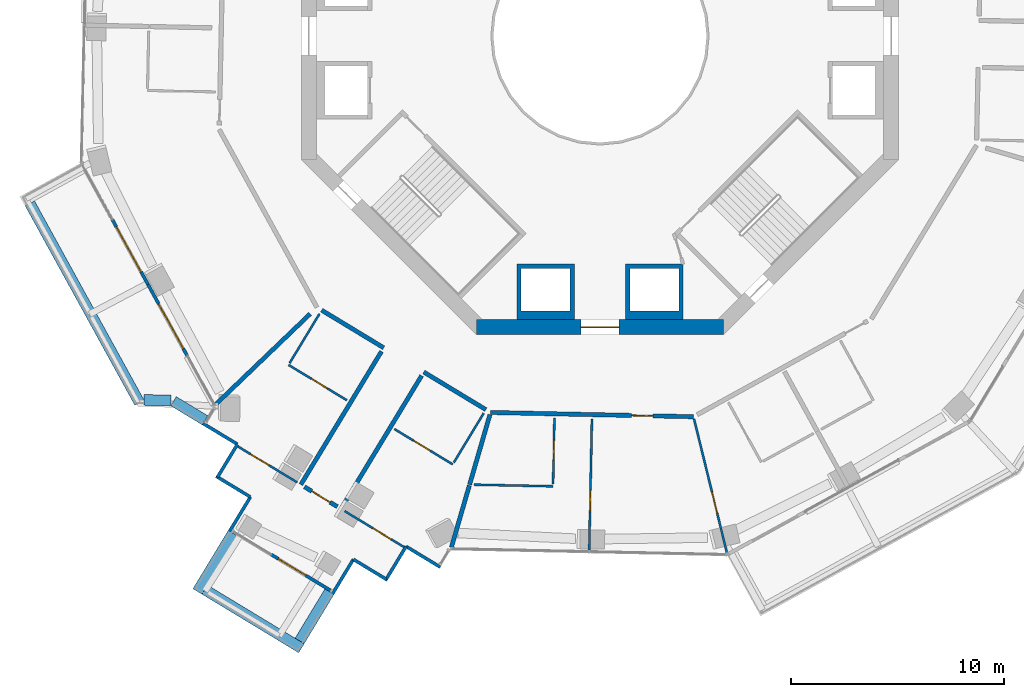
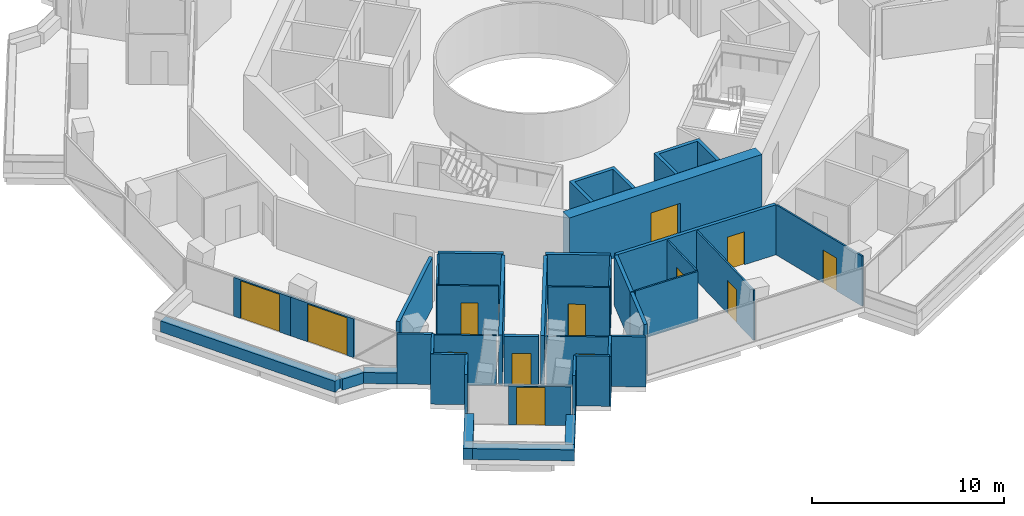
# One storey, part 14 of 22: 39 walls, 13 doors, 13 openings.
"""IFC4 building model written with IfcOpenShell, lengths in metres."""

import ifcopenshell
import ifcopenshell.guid

model = None  # the IFC model being written
_history = None  # IfcOwnerHistory: only IFC2X3 demands one
_inside = {}  # id of a spatial element -> (the spatial element, [elements in it])
_under = {}  # id of a project, library or spatial element -> (it, [spatial elements below it])
_declared = {}  # id of a project -> (the project, [libraries it declares])
_typed = {}  # id of a type object -> (the type object, [elements of that type])
_made_of = {}  # id of a material, layer set ... -> (it, [elements and type objects made of it])


def new_model(schema):
    """Start an empty IFC model of exactly this schema.

    Asked for "IFC4X3", IfcOpenShell would pick the latest addendum, in which some entities
    have other attributes; the version numbers below select the first issue.
    IFC2X3 requires an IfcOwnerHistory on every rooted entity: one is made here for all.
    """
    global model, _history
    if schema == "IFC4X3":
        model = ifcopenshell.file(schema_version=(4, 3, 0, 0))
    else:
        model = ifcopenshell.file(schema=schema)
    _inside.clear()
    _under.clear()
    _declared.clear()
    _typed.clear()
    _made_of.clear()
    _history = None
    if model.schema == "IFC2X3":
        org = make("IfcOrganization", Name="unknown")
        user = make(
            "IfcPersonAndOrganization",
            ThePerson=make("IfcPerson", FamilyName="unknown"),
            TheOrganization=org,
        )
        app = make(
            "IfcApplication",
            ApplicationDeveloper=org,
            Version="unknown",
            ApplicationFullName="unknown",
            ApplicationIdentifier="unknown",
        )
        _history = make(
            "IfcOwnerHistory",
            OwningUser=user,
            OwningApplication=app,
            ChangeAction="ADDED",
            CreationDate=0,
        )
    return model


def make(cls, **values):
    """One entity of the class cls with the attributes given. An attribute that is None is left unset."""
    return model.create_entity(
        cls, **{name: value for name, value in values.items() if value is not None}
    )


def rooted(cls, **values):
    """An entity with a GlobalId (a new one), such as an element, a storey or a relation."""
    return make(cls, GlobalId=ifcopenshell.guid.new(), OwnerHistory=_history, **values)


def si_unit(unit_type, name, prefix=None):
    """IfcSIUnit, for example si_unit("LENGTHUNIT", "METRE", prefix="MILLI")."""
    return make("IfcSIUnit", UnitType=unit_type, Prefix=prefix, Name=name)


def assignment(units):
    """IfcUnitAssignment: the units of a project."""
    return None if units is None else make("IfcUnitAssignment", Units=units)


def point(xyz):
    """IfcCartesianPoint."""
    return None if xyz is None else make("IfcCartesianPoint", Coordinates=xyz)


def direction(xyz):
    """IfcDirection."""
    return None if xyz is None else make("IfcDirection", DirectionRatios=xyz)


def frame(location, z_axis=None, x_axis=None):
    """IfcAxis2Placement3D, a coordinate frame: its origin and axes. An axis left out is left unset."""
    return make(
        "IfcAxis2Placement3D",
        Location=point(location),
        Axis=direction(z_axis),
        RefDirection=direction(x_axis),
    )


def frame_2d(location, x_axis=None):
    """IfcAxis2Placement2D, a coordinate frame in the plane: its origin and x axis."""
    return make(
        "IfcAxis2Placement2D", Location=point(location), RefDirection=direction(x_axis)
    )


def origin():
    """The frame at (0, 0, 0) with its axes left unset."""
    return frame((0.0, 0.0, 0.0))


def place(relative_to, where):
    """IfcLocalPlacement: puts the frame where relative to a parent placement (None: the world)."""
    return make(
        "IfcLocalPlacement", PlacementRelTo=relative_to, RelativePlacement=where
    )


def context(
    kind, dimensions, precision=None, world=None, true_north=None, identifier=None
):
    """IfcGeometricRepresentationContext, for example the 3D "Model" context."""
    return make(
        "IfcGeometricRepresentationContext",
        ContextIdentifier=identifier,
        ContextType=kind,
        CoordinateSpaceDimension=dimensions,
        Precision=precision,
        WorldCoordinateSystem=world,
        TrueNorth=true_north,
    )


def subcontext(parent, identifier, kind, view, scale=None):
    """IfcGeometricRepresentationSubContext, for example "Body" below "Model"."""
    return make(
        "IfcGeometricRepresentationSubContext",
        ContextIdentifier=identifier,
        ContextType=kind,
        ParentContext=parent,
        TargetScale=scale,
        TargetView=view,
    )


def project(units=None, contexts=None):
    """IfcProject with its units and contexts."""
    return rooted(
        "IfcProject",
        Name="project",
        RepresentationContexts=contexts,
        UnitsInContext=assignment(units),
    )


def spatial(cls, under=None, at=None, **own):
    """A site, building, storey or space (cls), placed at a placement, below another one or the project."""
    s = rooted(cls, ObjectPlacement=at, **own)
    if under is not None:
        _under.setdefault(under.id(), (under, []))[1].append(s)
    return s


def polyline(points):
    """IfcPolyline through the points."""
    return make("IfcPolyline", Points=[point(p) for p in points])


def profile(cls, at=None, kind="AREA", **sizes):
    """A parametric profile (cls). Its sizes go by their IFC names, for example OverallWidth=200.0."""
    return make(cls, ProfileType=kind, Position=at, **sizes)


def rectangle(**sizes):
    """IfcRectangleProfileDef."""
    return profile("IfcRectangleProfileDef", **sizes)


def outline(outer, holes=None, kind="AREA"):
    """IfcArbitraryClosedProfileDef: a profile drawn as a closed curve; with holes, ...WithVoids."""
    if holes is None:
        return make("IfcArbitraryClosedProfileDef", ProfileType=kind, OuterCurve=outer)
    return make(
        "IfcArbitraryProfileDefWithVoids",
        ProfileType=kind,
        OuterCurve=outer,
        InnerCurves=holes,
    )


def extrude(swept, where, along, depth):
    """IfcExtrudedAreaSolid: the profile swept, set in the frame where, extruded along a direction by depth."""
    return make(
        "IfcExtrudedAreaSolid",
        SweptArea=swept,
        Position=where,
        ExtrudedDirection=direction(along),
        Depth=depth,
    )


def shape(context_of_items, identifier, shape_type, items):
    """IfcShapeRepresentation: the items that make up one representation, for example the "Body"."""
    return make(
        "IfcShapeRepresentation",
        ContextOfItems=context_of_items,
        RepresentationIdentifier=identifier,
        RepresentationType=shape_type,
        Items=items,
    )


def material(Name=None, Category=None):
    """IfcMaterial."""
    return make("IfcMaterial", Name=Name, Category=Category)


def layer(
    of_material, thickness, ventilated=None, Name=None, Category=None, Priority=None
):
    """IfcMaterialLayer: one layer of a wall or slab, of a material (None: an air gap)."""
    return make(
        "IfcMaterialLayer",
        Material=of_material,
        LayerThickness=thickness,
        IsVentilated=ventilated,
        Name=Name,
        Category=Category,
        Priority=Priority,
    )


def layer_set(layers, Name=None):
    """IfcMaterialLayerSet."""
    return make("IfcMaterialLayerSet", MaterialLayers=layers, LayerSetName=Name)


def made_of(thing, what):
    """Note that an element or type object is made of a material, layer set ...; save() writes the relation."""
    if what is not None:
        _made_of.setdefault(what.id(), (what, []))[1].append(thing)
    return thing


def type_object(cls, material=None, **own):
    """A type object (cls), such as IfcWallType, which elements share."""
    return made_of(rooted(cls, **own), material)


def element(
    cls,
    number,
    at=None,
    inside=None,
    cuts=None,
    type_object=None,
    material=None,
    context=None,
    identifier="Body",
    shape_type=None,
    held_by="IfcProductDefinitionShape",
    body=None,
    shapes=None,
    **own,
):
    """One element of the class cls, such as IfcWall. Its Tag is "e" and its number.

    at: its placement. inside: the storey or other place that contains it. cuts: it is an
    opening in that element (IfcRelVoidsElement). A single representation is given by context,
    identifier, shape_type and body (its items); several are given by shapes. held_by: the class
    of the entity that holds the representations. save() writes the other relations.
    """
    e = rooted(cls, Tag="e%d" % number, ObjectPlacement=at, **own)
    if body is not None:
        shapes = [shape(context, identifier, shape_type, body)]
    if shapes is not None:
        e.Representation = make(held_by, Representations=shapes)
    if inside is not None:
        _inside.setdefault(inside.id(), (inside, []))[1].append(e)
    if cuts is not None:
        rooted(
            "IfcRelVoidsElement", RelatingBuildingElement=cuts, RelatedOpeningElement=e
        )
    if type_object is not None:
        _typed.setdefault(type_object.id(), (type_object, []))[1].append(e)
    return made_of(e, material)


def fill(opening, filler):
    """IfcRelFillsElement: the door or window that sits in an opening."""
    return rooted(
        "IfcRelFillsElement",
        RelatingOpeningElement=opening,
        RelatedBuildingElement=filler,
    )


def aggregate(whole, parts):
    """IfcRelAggregates: a whole, such as a stair, and the parts it consists of."""
    return rooted("IfcRelAggregates", RelatingObject=whole, RelatedObjects=parts)


def save(model, path):
    """Write the relations noted so far, then the file.

    IfcRelAggregates (storeys below a building ...), IfcRelContainedInSpatialStructure (elements
    in a storey), IfcRelDefinesByType, IfcRelAssociatesMaterial and IfcRelDeclares: one each for
    every whole, place, type object, material and project.
    """
    for whole, parts in _under.values():
        aggregate(whole, parts)
    for where, things in _inside.values():
        rooted(
            "IfcRelContainedInSpatialStructure",
            RelatedElements=things,
            RelatingStructure=where,
        )
    for kind, things in _typed.values():
        rooted("IfcRelDefinesByType", RelatedObjects=things, RelatingType=kind)
    for what, things in _made_of.values():
        rooted("IfcRelAssociatesMaterial", RelatedObjects=things, RelatingMaterial=what)
    for by, libraries in _declared.values():
        rooted("IfcRelDeclares", RelatingContext=by, RelatedDefinitions=libraries)
    model.write(path)


model = new_model("IFC4")

# Units and contexts
model_context = context("Model", 3, precision=1e-05, world=origin(), true_north=direction((0.0, 1.0)))
body_context = subcontext(model_context, "Body", "Model", "MODEL_VIEW")
ifc_project = project(units=[si_unit("LENGTHUNIT", "METRE"), si_unit("AREAUNIT", "SQUARE_METRE"), si_unit("VOLUMEUNIT", "CUBIC_METRE"), si_unit("PLANEANGLEUNIT", "RADIAN"), si_unit("MASSUNIT", "GRAM", prefix="KILO")], contexts=[model_context])

# Site, building, storey
site_placement = place(None, origin())
site = spatial("IfcSite", under=ifc_project, at=site_placement, CompositionType="ELEMENT")
building_placement = place(site_placement, origin())
building = spatial("IfcBuilding", under=site, at=building_placement, Name="Verdalira Terraces Hotel", CompositionType="ELEMENT")
storey_placement = place(building_placement, frame((0.0, 0.0, 150.5)))
storey = spatial("IfcBuildingStorey", under=building, at=storey_placement, Name="L36", CompositionType="ELEMENT", Elevation=150.5)

# Walls
ifc_material_1 = material(Name="Concrete C40", Category="concrete")
ifc_layer_1 = layer(ifc_material_1, 0.5)
ifc_layer_set_1 = layer_set([ifc_layer_1], Name="Balcony planter trough with tree")
wall_type_1 = type_object("IfcWallType", Name="Balcony planter trough with tree", PredefinedType="SOLIDWALL", material=ifc_layer_set_1)
wall_1_placement = place(storey_placement, frame((-26.733398, -7.849854, 0.0), z_axis=(0.0, 0.0, 1.0), x_axis=(0.481746302, -0.876310733, 0.0)))
element("IfcWall", 1, at=wall_1_placement, inside=storey, type_object=wall_type_1, Name="Balcony planter", PredefinedType="SOLIDWALL", context=body_context, shape_type="SweptSolid", body=[
    extrude(rectangle(XDim=10.652588, YDim=0.5, at=frame_2d((5.326172, 0.0))), origin(), (0.0, 0.0, 1.0), 0.699951),
])
wall_2_placement = place(storey_placement, frame((-21.382324, -17.064209, 0.0), z_axis=(0.0, 0.0, 1.0), x_axis=(0.999777652, -0.021086642, 0.0)))
element("IfcWall", 2, at=wall_2_placement, inside=storey, type_object=wall_type_1, Name="Balcony planter", PredefinedType="SOLIDWALL", context=body_context, shape_type="SweptSolid", body=[
    extrude(rectangle(XDim=1.261963, YDim=0.5, at=frame_2d((0.630859, 0.0))), origin(), (0.0, 0.0, 1.0), 0.699951),
])
wall_3_placement = place(storey_placement, frame((-19.996338, -17.126709, 0.0), z_axis=(0.0, 0.0, 1.0), x_axis=(0.855370169, -0.518017252, 0.0)))
element("IfcWall", 3, at=wall_3_placement, inside=storey, type_object=wall_type_1, Name="Balcony planter", PredefinedType="SOLIDWALL", context=body_context, shape_type="SweptSolid", body=[
    extrude(rectangle(XDim=1.730957, YDim=0.5, at=frame_2d((0.865479, 0.0))), origin(), (0.0, 0.0, 1.0), 0.699951),
])
wall_4_placement = place(storey_placement, frame((-17.216553, -23.3125, 0.0), z_axis=(0.0, 0.0, 1.0), x_axis=(-0.518037838, -0.855357702, 0.0)))
element("IfcWall", 4, at=wall_4_placement, inside=storey, type_object=wall_type_1, Name="Balcony planter", PredefinedType="SOLIDWALL", context=body_context, shape_type="SweptSolid", body=[
    extrude(rectangle(XDim=3.198975, YDim=0.5, at=frame_2d((1.599609, 0.0))), origin(), (0.0, 0.0, 1.0), 0.699951),
])
wall_5_placement = place(storey_placement, frame((-18.530518, -25.964355, 0.0), z_axis=(0.0, 0.0, 1.0), x_axis=(0.855359895, -0.518034217, 0.0)))
element("IfcWall", 5, at=wall_5_placement, inside=storey, type_object=wall_type_1, Name="Balcony planter", PredefinedType="SOLIDWALL", context=body_context, shape_type="SweptSolid", body=[
    extrude(rectangle(XDim=5.300049, YDim=0.5, at=frame_2d((2.649902, 0.0))), origin(), (0.0, 0.0, 1.0), 0.699951),
])
wall_6_placement = place(storey_placement, frame((-14.081299, -28.366699, 0.0), z_axis=(0.0, 0.0, 1.0), x_axis=(0.518043081, 0.855354527, 0.0)))
element("IfcWall", 6, at=wall_6_placement, inside=storey, type_object=wall_type_1, Name="Balcony planter", PredefinedType="SOLIDWALL", context=body_context, shape_type="SweptSolid", body=[
    extrude(rectangle(XDim=2.698975, YDim=0.5, at=frame_2d((1.349609, 0.0))), origin(), (0.0, 0.0, 1.0), 0.699951),
])

# Wall, opening, door
ifc_material_2 = material(Name="Moisture-resistant gypsum board partition")
ifc_layer_2 = layer(ifc_material_2, 0.10009765625)
ifc_layer_set_2 = layer_set([ifc_layer_2], Name="Bathroom partition 100 mm")
wall_type_2 = type_object("IfcWallType", Name="Bathroom partition 100 mm", PredefinedType="PARTITIONING", material=ifc_layer_set_2)
wall_7_placement = place(storey_placement, frame((-16.978027, -19.24707, 0.0), z_axis=(0.0, 0.0, 1.0), x_axis=(0.855359139, -0.518035465, 0.0)))
wall_7 = element("IfcWall", 7, at=wall_7_placement, inside=storey, type_object=wall_type_2, Name="Bathroom partition", PredefinedType="PARTITIONING", context=body_context, shape_type="SweptSolid", body=[
    extrude(rectangle(XDim=3.251953, YDim=0.100098, at=frame_2d((1.625977, 0.0))), origin(), (0.0, 0.0, 1.0), 3.189941),
])
opening_1_placement = place(wall_7_placement, frame((0.699951, 0.0, 0.0)))
opening_1 = element("IfcOpeningElement", 8, at=opening_1_placement, cuts=wall_7, Name="Opening L36-111", PredefinedType="OPENING", context=body_context, shape_type="SweptSolid", body=[
    extrude(rectangle(XDim=1.0, YDim=2.100098, at=frame_2d((0.5, 1.050049))), frame((0.0, 0.060059, 0.0), z_axis=(0.0, -1.0, 0.0), x_axis=(1.0, 0.0, 0.0)), (0.0, 0.0, 1.0), 0.120117),
])
ifc_material_3 = material(Name="Timber door", Category="wood")
door_type_1 = type_object("IfcDoorType", Name="Suite internal door 1000 x 2100", OperationType="NOTDEFINED", PredefinedType="DOOR", material=ifc_material_3)
door_1_placement = place(opening_1_placement, origin())
door_1 = element("IfcDoor", 9, at=door_1_placement, inside=storey, type_object=door_type_1, Name="Suite internal door 3605", OperationType="SINGLE_SWING_LEFT", OverallHeight=2.10009765625, OverallWidth=1.0, PredefinedType="DOOR", context=body_context, shape_type="SweptSolid", body=[
    extrude(rectangle(XDim=1.0, YDim=2.100098, at=frame_2d((0.5, 1.050049))), frame((0.0, 0.024902, 0.0), z_axis=(0.0, -1.0, 0.0), x_axis=(1.0, 0.0, 0.0)), (0.0, 0.0, 1.0), 0.050049),
])
fill(opening_1, door_1)

# Wall
wall_8_placement = place(storey_placement, frame((-13.1521, -13.029785, 0.0), z_axis=(0.0, 0.0, 1.0), x_axis=(-0.518015125, -0.855371458, 0.0)))
element("IfcWall", 10, at=wall_8_placement, inside=storey, type_object=wall_type_2, Name="Bathroom partition", PredefinedType="PARTITIONING", context=body_context, shape_type="SweptSolid", body=[
    extrude(rectangle(XDim=2.700195, YDim=0.100098, at=frame_2d((1.350098, 0.0))), origin(), (0.0, 0.0, 1.0), 3.189941),
])

# Wall, opening, door
wall_9_placement = place(storey_placement, frame((-14.602539, -15.424805, 0.0), z_axis=(0.0, 0.0, 1.0), x_axis=(0.855371986, -0.518014252, 0.0)))
wall_9 = element("IfcWall", 11, at=wall_9_placement, inside=storey, type_object=wall_type_2, Name="Bathroom partition", PredefinedType="PARTITIONING", context=body_context, shape_type="SweptSolid", body=[
    extrude(rectangle(XDim=3.200195, YDim=0.100098, at=frame_2d((1.600098, 0.0))), origin(), (0.0, 0.0, 1.0), 3.189941),
])
opening_2_placement = place(wall_9_placement, frame((1.25, 0.0, 0.0)))
opening_2 = element("IfcOpeningElement", 12, at=opening_2_placement, cuts=wall_9, Name="Opening L36-113", PredefinedType="OPENING", context=body_context, shape_type="SweptSolid", body=[
    extrude(rectangle(XDim=0.899902, YDim=2.100098, at=frame_2d((0.449951, 1.050049))), frame((0.0, 0.060059, 0.0), z_axis=(0.0, -1.0, 0.0), x_axis=(1.0, 0.0, 0.0)), (0.0, 0.0, 1.0), 0.120117),
])
ifc_material_4 = material(Name="Timber door", Category="wood")
door_type_2 = type_object("IfcDoorType", Name="Bathroom door 900 x 2100", OperationType="NOTDEFINED", PredefinedType="DOOR", material=ifc_material_4)
door_2_placement = place(opening_2_placement, origin())
door_2 = element("IfcDoor", 13, at=door_2_placement, inside=storey, type_object=door_type_2, Name="Bathroom door 3605", OperationType="SINGLE_SWING_LEFT", OverallHeight=2.10009765625, OverallWidth=0.89990234375, PredefinedType="DOOR", context=body_context, shape_type="SweptSolid", body=[
    extrude(rectangle(XDim=0.899902, YDim=2.100098, at=frame_2d((0.449951, 1.050049))), frame((0.0, 0.024902, 0.0), z_axis=(0.0, -1.0, 0.0), x_axis=(1.0, 0.0, 0.0)), (0.0, 0.0, 1.0), 0.050049),
])
fill(opening_2, door_2)

wall_10_placement = place(storey_placement, frame((-11.972412, -22.278564, 0.0), z_axis=(0.0, 0.0, 1.0), x_axis=(0.855359139, -0.518035465, 0.0)))
wall_10 = element("IfcWall", 14, at=wall_10_placement, inside=storey, type_object=wall_type_2, Name="Bathroom partition", PredefinedType="PARTITIONING", context=body_context, shape_type="SweptSolid", body=[
    extrude(rectangle(XDim=3.251953, YDim=0.100098, at=frame_2d((1.625977, 0.0))), origin(), (0.0, 0.0, 1.0), 3.189941),
])
opening_3_placement = place(wall_10_placement, frame((1.550049, 0.0, 0.0)))
opening_3 = element("IfcOpeningElement", 15, at=opening_3_placement, cuts=wall_10, Name="Opening L36-112", PredefinedType="OPENING", context=body_context, shape_type="SweptSolid", body=[
    extrude(rectangle(XDim=1.0, YDim=2.100098, at=frame_2d((0.5, 1.050049))), frame((0.0, 0.060059, 0.0), z_axis=(0.0, -1.0, 0.0), x_axis=(1.0, 0.0, 0.0)), (0.0, 0.0, 1.0), 0.120117),
])
door_3_placement = place(opening_3_placement, origin())
door_3 = element("IfcDoor", 16, at=door_3_placement, inside=storey, type_object=door_type_1, Name="Suite internal door 3605", OperationType="SINGLE_SWING_LEFT", OverallHeight=2.10009765625, OverallWidth=1.0, PredefinedType="DOOR", context=body_context, shape_type="SweptSolid", body=[
    extrude(rectangle(XDim=1.0, YDim=2.100098, at=frame_2d((0.5, 1.050049))), frame((0.0, 0.024902, 0.0), z_axis=(0.0, -1.0, 0.0), x_axis=(1.0, 0.0, 0.0)), (0.0, 0.0, 1.0), 0.050049),
])
fill(opening_3, door_3)

wall_11_placement = place(storey_placement, frame((-9.641357, -18.429443, 0.0), z_axis=(0.0, 0.0, 1.0), x_axis=(0.855351513, -0.518048057, 0.0)))
wall_11 = element("IfcWall", 17, at=wall_11_placement, inside=storey, type_object=wall_type_2, Name="Bathroom partition", PredefinedType="PARTITIONING", context=body_context, shape_type="SweptSolid", body=[
    extrude(rectangle(XDim=3.199951, YDim=0.100098, at=frame_2d((1.600098, 0.0))), origin(), (0.0, 0.0, 1.0), 3.189941),
])
opening_4_placement = place(wall_11_placement, frame((1.050049, 0.0, 0.0)))
opening_4 = element("IfcOpeningElement", 18, at=opening_4_placement, cuts=wall_11, Name="Opening L36-114", PredefinedType="OPENING", context=body_context, shape_type="SweptSolid", body=[
    extrude(rectangle(XDim=0.899902, YDim=2.100098, at=frame_2d((0.449951, 1.050049))), frame((0.0, 0.060059, 0.0), z_axis=(0.0, -1.0, 0.0), x_axis=(1.0, 0.0, 0.0)), (0.0, 0.0, 1.0), 0.120117),
])
door_4_placement = place(opening_4_placement, origin())
door_4 = element("IfcDoor", 19, at=door_4_placement, inside=storey, type_object=door_type_2, Name="Bathroom door 3605", OperationType="SINGLE_SWING_RIGHT", OverallHeight=2.10009765625, OverallWidth=0.89990234375, PredefinedType="DOOR", context=body_context, shape_type="SweptSolid", body=[
    extrude(rectangle(XDim=0.899902, YDim=2.100098, at=frame_2d((0.449951, 1.050049))), frame((0.0, 0.024902, 0.0), z_axis=(0.0, -1.0, 0.0), x_axis=(1.0, 0.0, 0.0)), (0.0, 0.0, 1.0), 0.050049),
])
fill(opening_4, door_4)

# Walls
wall_12_placement = place(storey_placement, frame((-6.852295, -20.001465, 0.0), z_axis=(0.0, 0.0, 1.0), x_axis=(0.517948964, 0.855411522, 0.0)))
element("IfcWall", 20, at=wall_12_placement, inside=storey, type_object=wall_type_2, Name="Bathroom partition", PredefinedType="PARTITIONING", context=body_context, shape_type="SweptSolid", body=[
    extrude(rectangle(XDim=2.699951, YDim=0.100098, at=frame_2d((1.350098, 0.0))), origin(), (0.0, 0.0, 1.0), 3.189941),
])
wall_13_placement = place(storey_placement, frame((-5.904297, -21.039307, 0.0), z_axis=(0.0, 0.0, 1.0), x_axis=(0.999780303, -0.020960584, 0.0)))
element("IfcWall", 21, at=wall_13_placement, inside=storey, type_object=wall_type_2, Name="Bathroom partition", PredefinedType="PARTITIONING", context=body_context, shape_type="SweptSolid", body=[
    extrude(rectangle(XDim=3.703857, YDim=0.100098, at=frame_2d((1.852051, 0.0))), origin(), (0.0, 0.0, 1.0), 3.189941),
])

# Wall, opening, door
wall_14_placement = place(storey_placement, frame((-2.198975, -21.016846, 0.0), z_axis=(0.0, 0.0, 1.0), x_axis=(0.020948533, 0.999780555, 0.0)))
wall_14 = element("IfcWall", 22, at=wall_14_placement, inside=storey, type_object=wall_type_2, Name="Bathroom partition", PredefinedType="PARTITIONING", context=body_context, shape_type="SweptSolid", body=[
    extrude(rectangle(XDim=3.100098, YDim=0.100098, at=frame_2d((1.550049, 0.0))), origin(), (0.0, 0.0, 1.0), 3.189941),
])
opening_5_placement = place(wall_14_placement, frame((1.149902, 0.0, 0.0)))
opening_5 = element("IfcOpeningElement", 23, at=opening_5_placement, cuts=wall_14, Name="Opening L36-118", PredefinedType="OPENING", context=body_context, shape_type="SweptSolid", body=[
    extrude(rectangle(XDim=0.899902, YDim=2.100098, at=frame_2d((0.449951, 1.050049))), frame((0.0, 0.060059, 0.0), z_axis=(0.0, -1.0, 0.0), x_axis=(1.0, 0.0, 0.0)), (0.0, 0.0, 1.0), 0.120117),
])
door_5_placement = place(opening_5_placement, origin())
door_5 = element("IfcDoor", 24, at=door_5_placement, inside=storey, type_object=door_type_2, Name="Bathroom door 3606", OperationType="SINGLE_SWING_LEFT", OverallHeight=2.10009765625, OverallWidth=0.89990234375, PredefinedType="DOOR", context=body_context, shape_type="SweptSolid", body=[
    extrude(rectangle(XDim=0.899902, YDim=2.100098, at=frame_2d((0.449951, 1.050049))), frame((0.0, 0.024902, 0.0), z_axis=(0.0, -1.0, 0.0), x_axis=(1.0, 0.0, 0.0)), (0.0, 0.0, 1.0), 0.050049),
])
fill(opening_5, door_5)

wall_15_placement = place(storey_placement, frame((-0.504883, -24.103027, 0.0), z_axis=(0.0, 0.0, 1.0), x_axis=(0.020920574, 0.999781141, 0.0)))
wall_15 = element("IfcWall", 25, at=wall_15_placement, inside=storey, type_object=wall_type_2, Name="Bathroom partition", PredefinedType="PARTITIONING", context=body_context, shape_type="SweptSolid", body=[
    extrude(rectangle(XDim=6.150146, YDim=0.100098, at=frame_2d((3.075195, 0.0))), origin(), (0.0, 0.0, 1.0), 3.189941),
])
opening_6_placement = place(wall_15_placement, frame((1.800049, 0.0, 0.0)))
opening_6 = element("IfcOpeningElement", 26, at=opening_6_placement, cuts=wall_15, Name="Opening L36-116", PredefinedType="OPENING", context=body_context, shape_type="SweptSolid", body=[
    extrude(rectangle(XDim=1.0, YDim=2.100098, at=frame_2d((0.5, 1.050049))), frame((0.0, 0.060059, 0.0), z_axis=(0.0, -1.0, 0.0), x_axis=(1.0, 0.0, 0.0)), (0.0, 0.0, 1.0), 0.120117),
])
door_6_placement = place(opening_6_placement, origin())
door_6 = element("IfcDoor", 27, at=door_6_placement, inside=storey, type_object=door_type_1, Name="Suite internal door 3606", OperationType="SINGLE_SWING_LEFT", OverallHeight=2.10009765625, OverallWidth=1.0, PredefinedType="DOOR", context=body_context, shape_type="SweptSolid", body=[
    extrude(rectangle(XDim=1.0, YDim=2.100098, at=frame_2d((0.5, 1.050049))), frame((0.0, 0.024902, 0.0), z_axis=(0.0, -1.0, 0.0), x_axis=(1.0, 0.0, 0.0)), (0.0, 0.0, 1.0), 0.050049),
])
fill(opening_6, door_6)

wall_16_placement = place(storey_placement, frame((4.410156, -17.95459, 0.0), z_axis=(0.0, 0.0, 1.0), x_axis=(0.238532845, -0.97113443, 0.0)))
wall_16 = element("IfcWall", 28, at=wall_16_placement, inside=storey, type_object=wall_type_2, Name="Bathroom partition", PredefinedType="PARTITIONING", context=body_context, shape_type="SweptSolid", body=[
    extrude(rectangle(XDim=6.47583, YDim=0.100098, at=frame_2d((3.237793, 0.0))), origin(), (0.0, 0.0, 1.0), 3.189941),
])
opening_7_placement = place(wall_16_placement, frame((3.550049, 0.0, 0.0)))
opening_7 = element("IfcOpeningElement", 29, at=opening_7_placement, cuts=wall_16, Name="Opening L36-117", PredefinedType="OPENING", context=body_context, shape_type="SweptSolid", body=[
    extrude(rectangle(XDim=1.0, YDim=2.100098, at=frame_2d((0.5, 1.050049))), frame((0.0, 0.060059, 0.0), z_axis=(0.0, -1.0, 0.0), x_axis=(1.0, 0.0, 0.0)), (0.0, 0.0, 1.0), 0.120117),
])
door_7_placement = place(opening_7_placement, origin())
door_7 = element("IfcDoor", 30, at=door_7_placement, inside=storey, type_object=door_type_1, Name="Suite internal door 3606", OperationType="SINGLE_SWING_LEFT", OverallHeight=2.10009765625, OverallWidth=1.0, PredefinedType="DOOR", context=body_context, shape_type="SweptSolid", body=[
    extrude(rectangle(XDim=1.0, YDim=2.100098, at=frame_2d((0.5, 1.050049))), frame((0.0, 0.024902, 0.0), z_axis=(0.0, -1.0, 0.0), x_axis=(1.0, 0.0, 0.0)), (0.0, 0.0, 1.0), 0.050049),
])
fill(opening_7, door_7)

# Walls
ifc_material_5 = material(Name="Concrete C50", Category="concrete")
ifc_layer_3 = layer(ifc_material_5, 0.199951171875)
ifc_layer_set_3 = layer_set([ifc_layer_3], Name="Core RC wall 200 C50")
wall_type_3 = type_object("IfcWallType", Name="Core RC wall 200 C50", PredefinedType="SOLIDWALL", material=ifc_layer_set_3)
wall_17_placement = place(storey_placement, origin())
element("IfcWall", 31, at=wall_17_placement, inside=storey, type_object=wall_type_3, Name="L36 shaft wall S1", PredefinedType="SOLIDWALL", context=body_context, shape_type="SweptSolid", body=[
    extrude(outline(polyline([(-1.199951, -13.300049), (-3.899902, -13.300049), (-3.899902, -10.699951), (-1.199951, -10.699951), (-1.199951, -13.300049)]), holes=[polyline([(-3.699951, -10.899902), (-3.699951, -12.899902), (-1.399902, -12.899902), (-1.399902, -10.899902), (-3.699951, -10.899902)])]), origin(), (0.0, 0.0, 1.0), 3.189941),
])
wall_18_placement = place(storey_placement, origin())
element("IfcWall", 32, at=wall_18_placement, inside=storey, type_object=wall_type_3, Name="L36 shaft wall S2", PredefinedType="SOLIDWALL", context=body_context, shape_type="SweptSolid", body=[
    extrude(outline(polyline([(3.899902, -10.699951), (3.899902, -13.300049), (1.199951, -13.300049), (1.199951, -10.699951), (3.899902, -10.699951)]), holes=[polyline([(1.399902, -12.899902), (3.699951, -12.899902), (3.699951, -10.899902), (1.399902, -10.899902), (1.399902, -12.899902)])]), origin(), (0.0, 0.0, 1.0), 3.189941),
])

# Wall, opening, door
ifc_material_6 = material(Name="Concrete C60", Category="concrete")
ifc_layer_4 = layer(ifc_material_6, 0.699951171875)
ifc_layer_set_4 = layer_set([ifc_layer_4], Name="Core wall 700 C60")
wall_type_4 = type_object("IfcWallType", Name="Core wall 700 C60", PredefinedType="SHEAR", material=ifc_layer_set_4)
wall_19_placement = place(storey_placement, frame((-5.799072, -13.649902, 0.0), z_axis=(0.0, 0.0, 1.0), x_axis=(1.0, 0.0, 0.0)))
wall_19 = element("IfcWall", 33, at=wall_19_placement, inside=storey, type_object=wall_type_4, Name="Core wall CW-L36-7", PredefinedType="SHEAR", context=body_context, shape_type="SweptSolid", body=[
    extrude(rectangle(XDim=11.598145, YDim=0.699951, at=frame_2d((5.799072, 0.0))), origin(), (0.0, 0.0, 1.0), 3.5),
])
opening_8_placement = place(wall_19_placement, frame((4.898926, 0.0, 0.0)))
opening_8 = element("IfcOpeningElement", 34, at=opening_8_placement, cuts=wall_19, Name="Opening L36-815", PredefinedType="OPENING", context=body_context, shape_type="SweptSolid", body=[
    extrude(rectangle(XDim=1.800049, YDim=2.100098, at=frame_2d((0.899902, 1.050049))), frame((0.0, 0.359863, 0.0), z_axis=(0.0, -1.0, 0.0), x_axis=(1.0, 0.0, 0.0)), (0.0, 0.0, 1.0), 0.719971),
])
ifc_material_7 = material(Name="Steel fire door", Category="steel")
door_type_3 = type_object("IfcDoorType", Name="Core entry door pair 1800 x 2100", OperationType="NOTDEFINED", PredefinedType="DOOR", material=ifc_material_7)
door_8_placement = place(opening_8_placement, origin())
door_8 = element("IfcDoor", 35, at=door_8_placement, inside=storey, type_object=door_type_3, Name="Core entry door L36 6", OperationType="DOUBLE_DOOR_SINGLE_SWING", OverallHeight=2.10009765625, OverallWidth=1.800048828125, PredefinedType="DOOR", context=body_context, shape_type="SweptSolid", body=[
    extrude(rectangle(XDim=1.800049, YDim=2.100098, at=frame_2d((0.899902, 1.050049))), frame((0.0, 0.024902, 0.0), z_axis=(0.0, -1.0, 0.0), x_axis=(1.0, 0.0, 0.0)), (0.0, 0.0, 1.0), 0.050049),
])
fill(opening_8, door_8)

# Walls
ifc_material_8 = material(Name="Fire-rated gypsum board wall")
ifc_layer_5 = layer(ifc_material_8, 0.199951171875)
ifc_layer_set_5 = layer_set([ifc_layer_5], Name="Demising wall 200 mm")
wall_type_5 = type_object("IfcWallType", Name="Demising wall 200 mm", PredefinedType="SOLIDWALL", material=ifc_layer_set_5)
wall_20_placement = place(storey_placement, frame((-13.592285, -13.034424, 0.0), z_axis=(0.0, 0.0, 1.0), x_axis=(-0.721742864, -0.69216128, 0.0)))
element("IfcWall", 36, at=wall_20_placement, inside=storey, type_object=wall_type_5, Name="Demising wall", PredefinedType="SOLIDWALL", context=body_context, shape_type="SweptSolid", body=[
    extrude(rectangle(XDim=6.13208, YDim=0.199951, at=frame_2d((3.065918, 0.0))), origin(), (0.0, 0.0, 1.0), 3.189941),
])
wall_21_placement = place(storey_placement, frame((-6.124512, -21.081055, 0.0), z_axis=(0.0, 0.0, 1.0), x_axis=(-0.279044139, -0.960278277, 0.0)))
element("IfcWall", 37, at=wall_21_placement, inside=storey, type_object=wall_type_5, Name="Demising wall", PredefinedType="SOLIDWALL", context=body_context, shape_type="SweptSolid", body=[
    extrude(rectangle(XDim=3.011475, YDim=0.199951, at=frame_2d((1.505859, 0.0))), origin(), (0.0, 0.0, 1.0), 3.189941),
])
wall_22_placement = place(storey_placement, frame((-5.158203, -17.75415, 0.0), z_axis=(0.0, 0.0, 1.0), x_axis=(-0.278963174, -0.9603018, 0.0)))
element("IfcWall", 38, at=wall_22_placement, inside=storey, type_object=wall_type_5, Name="Demising wall", PredefinedType="SOLIDWALL", context=body_context, shape_type="SweptSolid", body=[
    extrude(rectangle(XDim=3.418457, YDim=0.199951, at=frame_2d((1.709229, 0.0))), origin(), (0.0, 0.0, 1.0), 3.189941),
])

# Wall, opening, door
ifc_material_9 = material(Name="Fire-rated gypsum board wall")
ifc_layer_6 = layer(ifc_material_9, 0.199951171875)
ifc_layer_set_6 = layer_set([ifc_layer_6], Name="Guest corridor wall 200 mm")
wall_type_6 = type_object("IfcWallType", Name="Guest corridor wall 200 mm", PredefinedType="SOLIDWALL", material=ifc_layer_set_6)
wall_23_placement = place(storey_placement, frame((-12.312988, -22.072266, 0.0), z_axis=(0.0, 0.0, 1.0), x_axis=(-0.855335957, 0.518073741, 0.0)))
wall_23 = element("IfcWall", 39, at=wall_23_placement, inside=storey, type_object=wall_type_6, Name="Guest corridor wall", PredefinedType="SOLIDWALL", context=body_context, shape_type="SweptSolid", body=[
    extrude(rectangle(XDim=1.803955, YDim=0.199951, at=frame_2d((0.901855, 0.0))), origin(), (0.0, 0.0, 1.0), 3.189941),
])
opening_9_placement = place(wall_23_placement, frame((0.399902, 0.0, 0.0)))
opening_9 = element("IfcOpeningElement", 40, at=opening_9_placement, cuts=wall_23, Name="Opening L36-110", PredefinedType="OPENING", context=body_context, shape_type="SweptSolid", body=[
    extrude(rectangle(XDim=1.0, YDim=2.100098, at=frame_2d((0.5, 1.050049))), frame((0.0, 0.109863, 0.0), z_axis=(0.0, -1.0, 0.0), x_axis=(1.0, 0.0, 0.0)), (0.0, 0.0, 1.0), 0.219971),
])
ifc_material_10 = material(Name="Timber fire door", Category="wood")
door_type_4 = type_object("IfcDoorType", Name="Guest entry door 1000 x 2100", OperationType="NOTDEFINED", PredefinedType="DOOR", material=ifc_material_10)
door_9_placement = place(opening_9_placement, origin())
door_9 = element("IfcDoor", 41, at=door_9_placement, inside=storey, type_object=door_type_4, Name="Guest entry door 3605", OperationType="SINGLE_SWING_LEFT", OverallHeight=2.10009765625, OverallWidth=1.0, PredefinedType="DOOR", context=body_context, shape_type="SweptSolid", body=[
    extrude(rectangle(XDim=1.0, YDim=2.100098, at=frame_2d((0.5, 1.050049))), frame((0.0, 0.024902, 0.0), z_axis=(0.0, -1.0, 0.0), x_axis=(1.0, 0.0, 0.0)), (0.0, 0.0, 1.0), 0.050049),
])
fill(opening_9, door_9)

# Walls
wall_24_placement = place(storey_placement, frame((-10.243896, -14.791016, 0.0), z_axis=(0.0, 0.0, 1.0), x_axis=(-0.518017805, -0.855369835, 0.0)))
element("IfcWall", 42, at=wall_24_placement, inside=storey, type_object=wall_type_6, Name="Guest corridor wall", PredefinedType="SOLIDWALL", context=body_context, shape_type="SweptSolid", body=[
    extrude(rectangle(XDim=7.300049, YDim=0.199951, at=frame_2d((3.649902, 0.0))), origin(), (0.0, 0.0, 1.0), 3.189941),
])
wall_25_placement = place(storey_placement, frame((-13.04834, -12.858643, 0.0), z_axis=(0.0, 0.0, 1.0), x_axis=(0.855337648, -0.518070948, 0.0)))
element("IfcWall", 43, at=wall_25_placement, inside=storey, type_object=wall_type_6, Name="Guest corridor wall", PredefinedType="SOLIDWALL", context=body_context, shape_type="SweptSolid", body=[
    extrude(rectangle(XDim=3.400146, YDim=0.199951, at=frame_2d((1.700195, 0.0))), origin(), (0.0, 0.0, 1.0), 3.189941),
])
wall_26_placement = place(storey_placement, frame((-12.143555, -22.174805, 0.0), z_axis=(0.0, 0.0, 1.0), x_axis=(0.518017805, 0.855369835, 0.0)))
element("IfcWall", 44, at=wall_26_placement, inside=storey, type_object=wall_type_6, Name="Guest corridor wall", PredefinedType="SOLIDWALL", context=body_context, shape_type="SweptSolid", body=[
    extrude(rectangle(XDim=7.300049, YDim=0.199951, at=frame_2d((3.649902, 0.0))), origin(), (0.0, 0.0, 1.0), 3.189941),
])
wall_27_placement = place(storey_placement, frame((-8.258301, -15.759766, 0.0), z_axis=(0.0, 0.0, 1.0), x_axis=(0.855369466, -0.518018413, 0.0)))
element("IfcWall", 45, at=wall_27_placement, inside=storey, type_object=wall_type_6, Name="Guest corridor wall", PredefinedType="SOLIDWALL", context=body_context, shape_type="SweptSolid", body=[
    extrude(rectangle(XDim=3.399902, YDim=0.199951, at=frame_2d((1.699951, 0.0))), origin(), (0.0, 0.0, 1.0), 3.189941),
])

# Wall, opening, door
wall_28_placement = place(storey_placement, frame((4.385498, -17.854004, 0.0), z_axis=(0.0, 0.0, 1.0), x_axis=(-0.99978087, 0.020933521, 0.0)))
wall_28 = element("IfcWall", 46, at=wall_28_placement, inside=storey, type_object=wall_type_6, Name="Guest corridor wall", PredefinedType="SOLIDWALL", context=body_context, shape_type="SweptSolid", body=[
    extrude(rectangle(XDim=9.516846, YDim=0.199951, at=frame_2d((4.758301, 0.0))), origin(), (0.0, 0.0, 1.0), 3.189941),
])
opening_10_placement = place(wall_28_placement, frame((1.899902, 0.0, 0.0)))
opening_10 = element("IfcOpeningElement", 47, at=opening_10_placement, cuts=wall_28, Name="Opening L36-115", PredefinedType="OPENING", context=body_context, shape_type="SweptSolid", body=[
    extrude(rectangle(XDim=1.0, YDim=2.100098, at=frame_2d((0.5, 1.050049))), frame((0.0, 0.109863, 0.0), z_axis=(0.0, -1.0, 0.0), x_axis=(1.0, 0.0, 0.0)), (0.0, 0.0, 1.0), 0.219971),
])
door_10_placement = place(opening_10_placement, origin())
door_10 = element("IfcDoor", 48, at=door_10_placement, inside=storey, type_object=door_type_4, Name="Guest entry door 3606", OperationType="SINGLE_SWING_LEFT", OverallHeight=2.10009765625, OverallWidth=1.0, PredefinedType="DOOR", context=body_context, shape_type="SweptSolid", body=[
    extrude(rectangle(XDim=1.0, YDim=2.100098, at=frame_2d((0.5, 1.050049))), frame((0.0, 0.024902, 0.0), z_axis=(0.0, -1.0, 0.0), x_axis=(1.0, 0.0, 0.0)), (0.0, 0.0, 1.0), 0.050049),
])
fill(opening_10, door_10)

# Walls
ifc_material_11 = material(Name="Terracotta cladding", Category="masonry")
ifc_layer_7 = layer(ifc_material_11, 0.14990234375)
ifc_layer_set_7 = layer_set([ifc_layer_7], Name="Terracotta clad wall 150")
wall_type_7 = type_object("IfcWallType", Name="Terracotta clad wall 150", PredefinedType="SOLIDWALL", material=ifc_layer_set_7)
wall_29_placement = place(storey_placement, frame((-18.605469, -18.173828, 0.0), z_axis=(0.0, 0.0, 1.0), x_axis=(0.855383174, -0.517995778, 0.0)))
element("IfcWall", 49, at=wall_29_placement, inside=storey, type_object=wall_type_7, Name="Terracotta cladding wall", PredefinedType="SOLIDWALL", context=body_context, shape_type="SweptSolid", body=[
    extrude(rectangle(XDim=1.875, YDim=0.149902, at=frame_2d((0.9375, 0.0))), origin(), (0.0, 0.0, 1.0), 3.189941),
])
wall_30_placement = place(storey_placement, frame((-17.001709, -19.14502, 0.0), z_axis=(0.0, 0.0, 1.0), x_axis=(-0.517962014, -0.855403619, 0.0)))
element("IfcWall", 50, at=wall_30_placement, inside=storey, type_object=wall_type_7, Name="Terracotta cladding wall", PredefinedType="SOLIDWALL", context=body_context, shape_type="SweptSolid", body=[
    extrude(rectangle(XDim=1.800049, YDim=0.149902, at=frame_2d((0.899902, 0.0))), origin(), (0.0, 0.0, 1.0), 3.189941),
])
for number, where, z_axis, x_axis, name in (
    (51, (-17.998291, -20.645752, 0.0), (0.0, 0.0, 1.0), (0.855325476, -0.518091044, 0.0), "Terracotta cladding wall"),
    (52, (-16.394531, -21.617188, 0.0), (0.0, 0.0, 1.0), (-0.517995778, -0.855383174, 0.0), "Terracotta cladding wall"),
    (53, (-12.532959, -26.147705, 0.0), (0.0, 0.0, 1.0), (0.517995778, 0.855383174, 0.0), "Terracotta cladding wall"),
):
    element("IfcWall", number, at=place(storey_placement, frame(where, z_axis=z_axis, x_axis=x_axis)), inside=storey, type_object=wall_type_7, Name=name, PredefinedType="SOLIDWALL", context=body_context, shape_type="SweptSolid", body=[
        extrude(rectangle(XDim=1.875, YDim=0.149902, at=frame_2d((0.9375, 0.0))), origin(), (0.0, 0.0, 1.0), 3.189941),
    ])
wall_31_placement = place(storey_placement, frame((-11.561768, -24.543945, 0.0), z_axis=(0.0, 0.0, 1.0), x_axis=(0.855343526, -0.518061244, 0.0)))
element("IfcWall", 54, at=wall_31_placement, inside=storey, type_object=wall_type_7, Name="Terracotta cladding wall", PredefinedType="SOLIDWALL", context=body_context, shape_type="SweptSolid", body=[
    extrude(rectangle(XDim=1.800293, YDim=0.149902, at=frame_2d((0.900146, 0.0))), origin(), (0.0, 0.0, 1.0), 3.189941),
])
for number, where, z_axis, x_axis, name in (
    (55, (-10.060791, -25.540527, 0.0), (0.0, 0.0, 1.0), (0.517995778, 0.855383174, 0.0), "Terracotta cladding wall"),
    (56, (-9.0896, -23.936768, 0.0), (0.0, 0.0, 1.0), (0.855325476, -0.518091044, 0.0), "Terracotta cladding wall"),
):
    element("IfcWall", number, at=place(storey_placement, frame(where, z_axis=z_axis, x_axis=x_axis)), inside=storey, type_object=wall_type_7, Name=name, PredefinedType="SOLIDWALL", context=body_context, shape_type="SweptSolid", body=[
        extrude(rectangle(XDim=1.875, YDim=0.149902, at=frame_2d((0.9375, 0.0))), origin(), (0.0, 0.0, 1.0), 3.189941),
    ])

# Wall, opening, door
ifc_material_12 = material(Name="Terracotta cladding", Category="masonry")
ifc_layer_8 = layer(ifc_material_12, 0.14990234375)
ifc_layer_set_8 = layer_set([ifc_layer_8], Name="Terracotta door pier 150")
wall_type_8 = type_object("IfcWallType", Name="Terracotta door pier 150", PredefinedType="SOLIDWALL", material=ifc_layer_set_8)
wall_32_placement = place(storey_placement, frame((-22.866211, -8.605225, 0.0), z_axis=(0.0, 0.0, 1.0), x_axis=(0.481802779, -0.876279683, 0.0)))
wall_32 = element("IfcWall", 57, at=wall_32_placement, inside=storey, type_object=wall_type_8, Name="Terracotta door pier", PredefinedType="SOLIDWALL", context=body_context, shape_type="SweptSolid", body=[
    extrude(rectangle(XDim=3.475098, YDim=0.149902, at=frame_2d((1.737549, 0.0))), origin(), (0.0, 0.0, 1.0), 2.475098),
])
opening_11_placement = place(wall_32_placement, frame((0.399902, 0.0, 0.0)))
opening_11 = element("IfcOpeningElement", 58, at=opening_11_placement, cuts=wall_32, Name="Opening L36-B04", PredefinedType="OPENING", context=body_context, shape_type="SweptSolid", body=[
    extrude(rectangle(XDim=2.399902, YDim=2.399902, at=frame_2d((1.199951, 1.199951))), frame((0.0, 0.084961, 0.0), z_axis=(0.0, -1.0, 0.0), x_axis=(1.0, 0.0, 0.0)), (0.0, 0.0, 1.0), 0.169922),
])
ifc_material_13 = material(Name="Clear glass", Category="glass")
door_type_5 = type_object("IfcDoorType", Name="Balcony sliding door 2400x2400", OperationType="NOTDEFINED", PredefinedType="DOOR", material=ifc_material_13)
door_11_placement = place(opening_11_placement, origin())
door_11 = element("IfcDoor", 59, at=door_11_placement, inside=storey, type_object=door_type_5, Name="Balcony sliding door", OperationType="SLIDING_TO_RIGHT", OverallHeight=2.39990234375, OverallWidth=2.39990234375, PredefinedType="DOOR", context=body_context, shape_type="SweptSolid", body=[
    extrude(rectangle(XDim=2.399902, YDim=2.399902, at=frame_2d((1.199951, 1.199951))), frame((0.0, 0.024902, 0.0), z_axis=(0.0, -1.0, 0.0), x_axis=(1.0, 0.0, 0.0)), (0.0, 0.0, 1.0), 0.050049),
])
fill(opening_11, door_11)

wall_33_placement = place(storey_placement, frame((-21.191895, -11.650391, 0.0), z_axis=(0.0, 0.0, 1.0), x_axis=(0.481730588, -0.876319371, 0.0)))
wall_33 = element("IfcWall", 60, at=wall_33_placement, inside=storey, type_object=wall_type_8, Name="Terracotta door pier", PredefinedType="SOLIDWALL", context=body_context, shape_type="SweptSolid", body=[
    extrude(rectangle(XDim=3.835449, YDim=0.149902, at=frame_2d((1.917725, 0.0))), origin(), (0.0, 0.0, 1.0), 2.475098),
])
opening_12_placement = place(wall_33_placement, frame((1.0354, 0.0, 0.0)))
opening_12 = element("IfcOpeningElement", 61, at=opening_12_placement, cuts=wall_33, Name="Opening L36-B05", PredefinedType="OPENING", context=body_context, shape_type="SweptSolid", body=[
    extrude(rectangle(XDim=2.399902, YDim=2.399902, at=frame_2d((1.199951, 1.199951))), frame((0.0, 0.084961, 0.0), z_axis=(0.0, -1.0, 0.0), x_axis=(1.0, 0.0, 0.0)), (0.0, 0.0, 1.0), 0.169922),
])
door_12_placement = place(opening_12_placement, origin())
door_12 = element("IfcDoor", 62, at=door_12_placement, inside=storey, type_object=door_type_5, Name="Balcony sliding door", OperationType="SLIDING_TO_LEFT", OverallHeight=2.39990234375, OverallWidth=2.39990234375, PredefinedType="DOOR", context=body_context, shape_type="SweptSolid", body=[
    extrude(rectangle(XDim=2.399902, YDim=2.399902, at=frame_2d((1.199951, 1.199951))), frame((0.0, 0.024902, 0.0), z_axis=(0.0, -1.0, 0.0), x_axis=(1.0, 0.0, 0.0)), (0.0, 0.0, 1.0), 0.050049),
])
fill(opening_12, door_12)

wall_34_placement = place(storey_placement, frame((-15.415283, -24.314697, 0.0), z_axis=(0.0, 0.0, 1.0), x_axis=(0.855377835, -0.518004595, 0.0)))
wall_34 = element("IfcWall", 63, at=wall_34_placement, inside=storey, type_object=wall_type_8, Name="Terracotta door pier", PredefinedType="SOLIDWALL", context=body_context, shape_type="SweptSolid", body=[
    extrude(rectangle(XDim=3.26001, YDim=0.149902, at=frame_2d((1.629883, 0.0))), origin(), (0.0, 0.0, 1.0), 2.475098),
])
opening_13_placement = place(wall_34_placement, frame((0.399902, 0.0, 0.0)))
opening_13 = element("IfcOpeningElement", 64, at=opening_13_placement, cuts=wall_34, Name="Opening L36-B06", PredefinedType="OPENING", context=body_context, shape_type="SweptSolid", body=[
    extrude(rectangle(XDim=1.5, YDim=2.399902, at=frame_2d((0.75, 1.199951))), frame((0.0, 0.084961, 0.0), z_axis=(0.0, -1.0, 0.0), x_axis=(1.0, 0.0, 0.0)), (0.0, 0.0, 1.0), 0.169922),
])
ifc_material_14 = material(Name="Clear glass", Category="glass")
door_type_6 = type_object("IfcDoorType", Name="Balcony sliding door 1500x2400", OperationType="NOTDEFINED", PredefinedType="DOOR", material=ifc_material_14)
door_13_placement = place(opening_13_placement, origin())
door_13 = element("IfcDoor", 65, at=door_13_placement, inside=storey, type_object=door_type_6, Name="Balcony sliding door", OperationType="SLIDING_TO_RIGHT", OverallHeight=2.39990234375, OverallWidth=1.5, PredefinedType="DOOR", context=body_context, shape_type="SweptSolid", body=[
    extrude(rectangle(XDim=1.5, YDim=2.399902, at=frame_2d((0.75, 1.199951))), frame((0.0, 0.024902, 0.0), z_axis=(0.0, -1.0, 0.0), x_axis=(1.0, 0.0, 0.0)), (0.0, 0.0, 1.0), 0.050049),
])
fill(opening_13, door_13)

save(model, "model.ifc")
